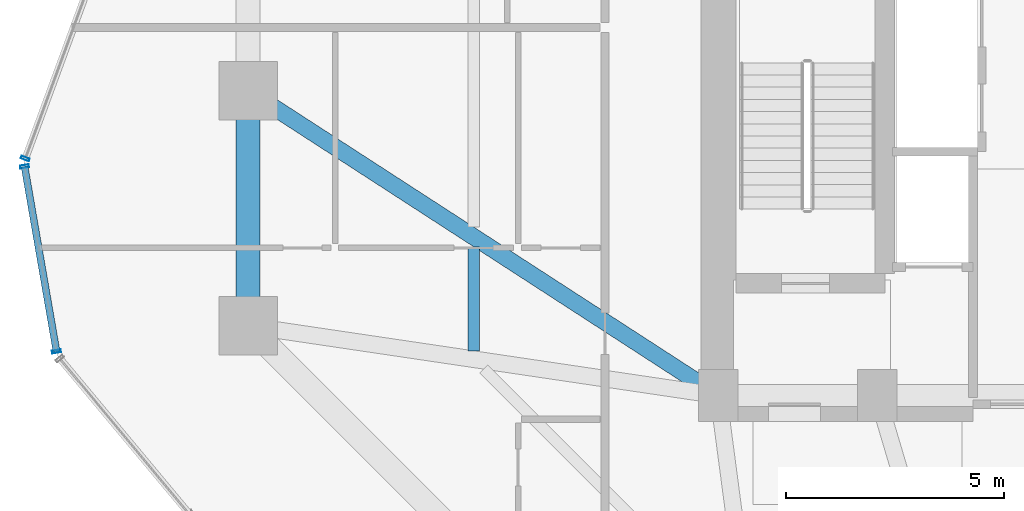
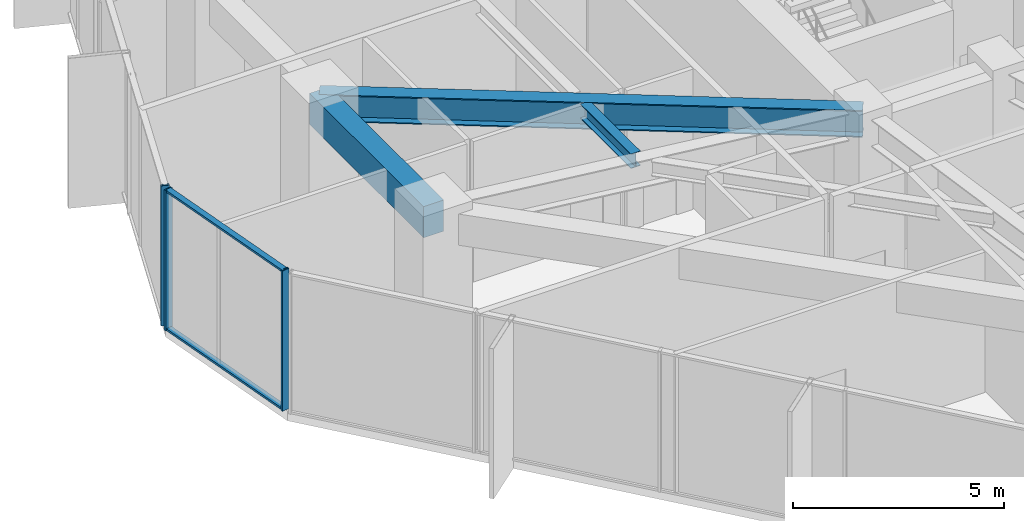
# One storey, part 10 of 35: 5 members, 3 beams, 2 elements without a shape of their own.
"""IFC4 building model written with IfcOpenShell, lengths in metres."""

import ifcopenshell
import ifcopenshell.guid

model = None  # the IFC model being written
_history = None  # IfcOwnerHistory: only IFC2X3 demands one
_inside = {}  # id of a spatial element -> (the spatial element, [elements in it])
_under = {}  # id of a project, library or spatial element -> (it, [spatial elements below it])
_declared = {}  # id of a project -> (the project, [libraries it declares])
_typed = {}  # id of a type object -> (the type object, [elements of that type])
_made_of = {}  # id of a material, layer set ... -> (it, [elements and type objects made of it])


def new_model(schema):
    """Start an empty IFC model of exactly this schema.

    Asked for "IFC4X3", IfcOpenShell would pick the latest addendum, in which some entities
    have other attributes; the version numbers below select the first issue.
    IFC2X3 requires an IfcOwnerHistory on every rooted entity: one is made here for all.
    """
    global model, _history
    if schema == "IFC4X3":
        model = ifcopenshell.file(schema_version=(4, 3, 0, 0))
    else:
        model = ifcopenshell.file(schema=schema)
    _inside.clear()
    _under.clear()
    _declared.clear()
    _typed.clear()
    _made_of.clear()
    _history = None
    if model.schema == "IFC2X3":
        org = make("IfcOrganization", Name="unknown")
        user = make(
            "IfcPersonAndOrganization",
            ThePerson=make("IfcPerson", FamilyName="unknown"),
            TheOrganization=org,
        )
        app = make(
            "IfcApplication",
            ApplicationDeveloper=org,
            Version="unknown",
            ApplicationFullName="unknown",
            ApplicationIdentifier="unknown",
        )
        _history = make(
            "IfcOwnerHistory",
            OwningUser=user,
            OwningApplication=app,
            ChangeAction="ADDED",
            CreationDate=0,
        )
    return model


def make(cls, **values):
    """One entity of the class cls with the attributes given. An attribute that is None is left unset."""
    return model.create_entity(
        cls, **{name: value for name, value in values.items() if value is not None}
    )


def rooted(cls, **values):
    """An entity with a GlobalId (a new one), such as an element, a storey or a relation."""
    return make(cls, GlobalId=ifcopenshell.guid.new(), OwnerHistory=_history, **values)


def si_unit(unit_type, name, prefix=None):
    """IfcSIUnit, for example si_unit("LENGTHUNIT", "METRE", prefix="MILLI")."""
    return make("IfcSIUnit", UnitType=unit_type, Prefix=prefix, Name=name)


def assignment(units):
    """IfcUnitAssignment: the units of a project."""
    return None if units is None else make("IfcUnitAssignment", Units=units)


def point(xyz):
    """IfcCartesianPoint."""
    return None if xyz is None else make("IfcCartesianPoint", Coordinates=xyz)


def direction(xyz):
    """IfcDirection."""
    return None if xyz is None else make("IfcDirection", DirectionRatios=xyz)


def frame(location, z_axis=None, x_axis=None):
    """IfcAxis2Placement3D, a coordinate frame: its origin and axes. An axis left out is left unset."""
    return make(
        "IfcAxis2Placement3D",
        Location=point(location),
        Axis=direction(z_axis),
        RefDirection=direction(x_axis),
    )


def frame_2d(location, x_axis=None):
    """IfcAxis2Placement2D, a coordinate frame in the plane: its origin and x axis."""
    return make(
        "IfcAxis2Placement2D", Location=point(location), RefDirection=direction(x_axis)
    )


def origin():
    """The frame at (0, 0, 0) with its axes left unset."""
    return frame((0.0, 0.0, 0.0))


def origin_2d():
    """The frame at (0, 0) in the plane with its x axis left unset."""
    return frame_2d((0.0, 0.0))


def place(relative_to, where):
    """IfcLocalPlacement: puts the frame where relative to a parent placement (None: the world)."""
    return make(
        "IfcLocalPlacement", PlacementRelTo=relative_to, RelativePlacement=where
    )


def context(
    kind, dimensions, precision=None, world=None, true_north=None, identifier=None
):
    """IfcGeometricRepresentationContext, for example the 3D "Model" context."""
    return make(
        "IfcGeometricRepresentationContext",
        ContextIdentifier=identifier,
        ContextType=kind,
        CoordinateSpaceDimension=dimensions,
        Precision=precision,
        WorldCoordinateSystem=world,
        TrueNorth=true_north,
    )


def subcontext(parent, identifier, kind, view, scale=None):
    """IfcGeometricRepresentationSubContext, for example "Body" below "Model"."""
    return make(
        "IfcGeometricRepresentationSubContext",
        ContextIdentifier=identifier,
        ContextType=kind,
        ParentContext=parent,
        TargetScale=scale,
        TargetView=view,
    )


def project(units=None, contexts=None):
    """IfcProject with its units and contexts."""
    return rooted(
        "IfcProject",
        Name="project",
        RepresentationContexts=contexts,
        UnitsInContext=assignment(units),
    )


def spatial(cls, under=None, at=None, **own):
    """A site, building, storey or space (cls), placed at a placement, below another one or the project."""
    s = rooted(cls, ObjectPlacement=at, **own)
    if under is not None:
        _under.setdefault(under.id(), (under, []))[1].append(s)
    return s


def profile(cls, at=None, kind="AREA", **sizes):
    """A parametric profile (cls). Its sizes go by their IFC names, for example OverallWidth=200.0."""
    return make(cls, ProfileType=kind, Position=at, **sizes)


def rectangle(**sizes):
    """IfcRectangleProfileDef."""
    return profile("IfcRectangleProfileDef", **sizes)


def hollow_rectangle(**sizes):
    """IfcRectangleHollowProfileDef."""
    return profile("IfcRectangleHollowProfileDef", **sizes)


def i_section(**sizes):
    """IfcIShapeProfileDef."""
    return profile("IfcIShapeProfileDef", **sizes)


def extrude(swept, where, along, depth):
    """IfcExtrudedAreaSolid: the profile swept, set in the frame where, extruded along a direction by depth."""
    return make(
        "IfcExtrudedAreaSolid",
        SweptArea=swept,
        Position=where,
        ExtrudedDirection=direction(along),
        Depth=depth,
    )


def shape(context_of_items, identifier, shape_type, items):
    """IfcShapeRepresentation: the items that make up one representation, for example the "Body"."""
    return make(
        "IfcShapeRepresentation",
        ContextOfItems=context_of_items,
        RepresentationIdentifier=identifier,
        RepresentationType=shape_type,
        Items=items,
    )


def source(mapping_origin, context_of_items, identifier, shape_type, items):
    """IfcRepresentationMap: a shape defined once, which mapped items show again and again."""
    return make(
        "IfcRepresentationMap",
        MappingOrigin=mapping_origin,
        MappedRepresentation=shape(context_of_items, identifier, shape_type, items),
    )


def transform(
    local_origin,
    x_axis=None,
    y_axis=None,
    z_axis=None,
    scale=None,
    scale2=None,
    scale3=None,
    uniform=True,
):
    """IfcCartesianTransformationOperator3D, or its non-uniform kind. x_axis, y_axis, z_axis: its Axis1, 2, 3."""
    if uniform:
        return make(
            "IfcCartesianTransformationOperator3D",
            Axis1=direction(x_axis),
            Axis2=direction(y_axis),
            LocalOrigin=point(local_origin),
            Scale=scale,
            Axis3=direction(z_axis),
        )
    return make(
        "IfcCartesianTransformationOperator3DnonUniform",
        Axis1=direction(x_axis),
        Axis2=direction(y_axis),
        LocalOrigin=point(local_origin),
        Scale=scale,
        Axis3=direction(z_axis),
        Scale2=scale2,
        Scale3=scale3,
    )


def mapped(mapping_source, mapping_target):
    """IfcMappedItem: shows the shape of a source again, moved by a transform."""
    return make(
        "IfcMappedItem", MappingSource=mapping_source, MappingTarget=mapping_target
    )


def material(Name=None, Category=None):
    """IfcMaterial."""
    return make("IfcMaterial", Name=Name, Category=Category)


def layer(
    of_material, thickness, ventilated=None, Name=None, Category=None, Priority=None
):
    """IfcMaterialLayer: one layer of a wall or slab, of a material (None: an air gap)."""
    return make(
        "IfcMaterialLayer",
        Material=of_material,
        LayerThickness=thickness,
        IsVentilated=ventilated,
        Name=Name,
        Category=Category,
        Priority=Priority,
    )


def layer_set(layers, Name=None):
    """IfcMaterialLayerSet."""
    return make("IfcMaterialLayerSet", MaterialLayers=layers, LayerSetName=Name)


def material_profile(
    of_material, cross_section, Name=None, Category=None, Priority=None
):
    """IfcMaterialProfile: a cross section and its material."""
    return make(
        "IfcMaterialProfile",
        Name=Name,
        Material=of_material,
        Profile=cross_section,
        Priority=Priority,
        Category=Category,
    )


def profile_set(profiles, Name=None, composite=None):
    """IfcMaterialProfileSet."""
    return make(
        "IfcMaterialProfileSet",
        Name=Name,
        MaterialProfiles=profiles,
        CompositeProfile=composite,
    )


def made_of(thing, what):
    """Note that an element or type object is made of a material, layer set ...; save() writes the relation."""
    if what is not None:
        _made_of.setdefault(what.id(), (what, []))[1].append(thing)
    return thing


def type_object(cls, material=None, **own):
    """A type object (cls), such as IfcWallType, which elements share."""
    return made_of(rooted(cls, **own), material)


def element(
    cls,
    number,
    at=None,
    inside=None,
    cuts=None,
    type_object=None,
    material=None,
    context=None,
    identifier="Body",
    shape_type=None,
    held_by="IfcProductDefinitionShape",
    body=None,
    shapes=None,
    **own,
):
    """One element of the class cls, such as IfcWall. Its Tag is "e" and its number.

    at: its placement. inside: the storey or other place that contains it. cuts: it is an
    opening in that element (IfcRelVoidsElement). A single representation is given by context,
    identifier, shape_type and body (its items); several are given by shapes. held_by: the class
    of the entity that holds the representations. save() writes the other relations.
    """
    e = rooted(cls, Tag="e%d" % number, ObjectPlacement=at, **own)
    if body is not None:
        shapes = [shape(context, identifier, shape_type, body)]
    if shapes is not None:
        e.Representation = make(held_by, Representations=shapes)
    if inside is not None:
        _inside.setdefault(inside.id(), (inside, []))[1].append(e)
    if cuts is not None:
        rooted(
            "IfcRelVoidsElement", RelatingBuildingElement=cuts, RelatedOpeningElement=e
        )
    if type_object is not None:
        _typed.setdefault(type_object.id(), (type_object, []))[1].append(e)
    return made_of(e, material)


def aggregate(whole, parts):
    """IfcRelAggregates: a whole, such as a stair, and the parts it consists of."""
    return rooted("IfcRelAggregates", RelatingObject=whole, RelatedObjects=parts)


def save(model, path):
    """Write the relations noted so far, then the file.

    IfcRelAggregates (storeys below a building ...), IfcRelContainedInSpatialStructure (elements
    in a storey), IfcRelDefinesByType, IfcRelAssociatesMaterial and IfcRelDeclares: one each for
    every whole, place, type object, material and project.
    """
    for whole, parts in _under.values():
        aggregate(whole, parts)
    for where, things in _inside.values():
        rooted(
            "IfcRelContainedInSpatialStructure",
            RelatedElements=things,
            RelatingStructure=where,
        )
    for kind, things in _typed.values():
        rooted("IfcRelDefinesByType", RelatedObjects=things, RelatingType=kind)
    for what, things in _made_of.values():
        rooted("IfcRelAssociatesMaterial", RelatedObjects=things, RelatingMaterial=what)
    for by, libraries in _declared.values():
        rooted("IfcRelDeclares", RelatingContext=by, RelatedDefinitions=libraries)
    model.write(path)


model = new_model("IFC4")

# Units and contexts
model_context = context("Model", 3, precision=1e-05, world=origin(), true_north=direction((0.0, 1.0)))
body_context = subcontext(model_context, "Body", "Model", "MODEL_VIEW")
ifc_project = project(units=[si_unit("LENGTHUNIT", "METRE"), si_unit("AREAUNIT", "SQUARE_METRE"), si_unit("VOLUMEUNIT", "CUBIC_METRE"), si_unit("PLANEANGLEUNIT", "RADIAN"), si_unit("MASSUNIT", "GRAM", prefix="KILO")], contexts=[model_context])

# Site, building, storey
site_placement = place(None, origin())
site = spatial("IfcSite", under=ifc_project, at=site_placement, CompositionType="ELEMENT")
building_placement = place(site_placement, origin())
building = spatial("IfcBuilding", under=site, at=building_placement, Name="Veraguas Prism Commons", CompositionType="ELEMENT")
storey_placement = place(building_placement, frame((0.0, 0.0, 56.550048828125)))
storey = spatial("IfcBuildingStorey", under=building, at=storey_placement, Name="L15", CompositionType="ELEMENT", Elevation=56.550048828125)

# Beams
ifc_material_1 = material(Name="Steel ASTM A992 Grade 50", Category="steel")
ifc_material_profile_1 = material_profile(ifc_material_1, i_section(OverallWidth=0.382080078125, OverallDepth=0.779052734375, WebThickness=0.01806640625, FlangeThickness=0.030029296875, at=origin_2d()), Name="W760X284")
ifc_profile_set_1 = profile_set([ifc_material_profile_1], Name="Steel ASTM A992 Grade 50")
beam_type_1 = type_object("IfcBeamType", Name="Assembly Primary Girder W760x284", PredefinedType="BEAM", material=ifc_profile_set_1)
beam_1_placement = place(storey_placement, frame((6.39990234375, 24.0, 3.660400390625), z_axis=(0.839154108875, -0.543893722668, 0.0), x_axis=(0.543893722668, 0.839154108875, 0.0)))
element("IfcBeam", 1, at=beam_1_placement, inside=storey, type_object=beam_type_1, Name="Radial Floor Girder L15-RD08", PredefinedType="BEAM", context=body_context, shape_type="SweptSolid", body=[
    extrude(i_section(OverallWidth=0.382080078125, OverallDepth=0.779052734375, WebThickness=0.01806640625, FlangeThickness=0.030029296875, at=origin_2d()), origin(), (0.0, 0.0, 1.0), 12.8701171875),
])
ifc_material_profile_2 = material_profile(ifc_material_1, i_section(OverallWidth=0.260986328125, OverallDepth=0.419921875, WebThickness=0.01171875, FlangeThickness=0.019287109375, at=origin_2d()), Name="W410X114")
ifc_profile_set_2 = profile_set([ifc_material_profile_2], Name="Steel ASTM A992 Grade 50")
beam_type_2 = type_object("IfcBeamType", Name="Lower Floor Joist W410x114", PredefinedType="JOIST", material=ifc_profile_set_2)
beam_2_placement = place(storey_placement, frame((11.583984375, 20.414794921875, 3.83984375), z_axis=(0.0, -1.0, 0.0), x_axis=(1.0, 0.0, 0.0)))
element("IfcBeam", 2, at=beam_2_placement, inside=storey, type_object=beam_type_2, Name="Composite Floor Joist L15-JS08", PredefinedType="JOIST", context=body_context, shape_type="SweptSolid", body=[
    extrude(i_section(OverallWidth=0.260986328125, OverallDepth=0.419921875, WebThickness=0.01171875, FlangeThickness=0.019287109375, at=origin_2d()), origin(), (0.0, 0.0, 1.0), 2.3916015625),
])
ifc_material_2 = material(Name="Concrete C50/60", Category="concrete")
ifc_material_profile_3 = material_profile(ifc_material_2, rectangle(XDim=0.550048828125, YDim=0.89990234375, at=origin_2d()), Name="RC550X900")
ifc_profile_set_3 = profile_set([ifc_material_profile_3], Name="Concrete C50/60")
beam_type_3 = type_object("IfcBeamType", Name="Perimeter Spandrel Lower RC 550x900", PredefinedType="SPANDREL", material=ifc_profile_set_3)
beam_3_placement = place(storey_placement, frame((6.39990234375, 24.0, 3.599853515625), z_axis=(0.0, -1.0, 0.0), x_axis=(1.0, 0.0, 0.0)))
element("IfcBeam", 3, at=beam_3_placement, inside=storey, type_object=beam_type_3, Name="Perimeter Spandrel Beam L15-SP08", PredefinedType="SPANDREL", context=body_context, shape_type="SweptSolid", body=[
    extrude(rectangle(XDim=0.550048828125, YDim=0.89990234375, at=origin_2d()), origin(), (0.0, 0.0, 1.0), 5.39990234375),
])

# Curtain wall, member
ifc_material_3 = material(Name="Anodised aluminium EN AW-6063 T6", Category="aluminium")
ifc_layer = layer(ifc_material_3, 0.199951171875, Name="Sky Lobby and Pool Acoustic Curtain Wall", Category="aluminium")
ifc_layer_set = layer_set([ifc_layer], Name="Anodised aluminium EN AW-6063 T6")
curtain_wall_type = type_object("IfcCurtainWallType", Name="Sky Lobby and Pool Acoustic Curtain Wall", PredefinedType="NOTDEFINED", material=ifc_layer_set)
curtain_wall_1_placement = place(storey_placement, origin())
curtain_wall_1 = element("IfcCurtainWall", 4, at=curtain_wall_1_placement, inside=storey, type_object=curtain_wall_type, Name="Tower Facade Curtain Wall L15-F3", PredefinedType="NOTDEFINED")
ifc_material_profile_4 = material_profile(ifc_material_3, hollow_rectangle(XDim=0.06494140625, YDim=0.199951171875, WallThickness=0.00390625, at=origin_2d()), Name="AL65X200X4")
ifc_profile_set_4 = profile_set([ifc_material_profile_4], Name="Anodised aluminium EN AW-6063 T6")
member_type_1 = type_object("IfcMemberType", Name="Curtain Wall Mullion Heavy AL 65x200x4", PredefinedType="MULLION", material=ifc_profile_set_4)
shared_shape_1 = source(origin(), body_context, "Body", "SweptSolid", [
    extrude(hollow_rectangle(XDim=0.06494140625, YDim=0.199951171875, WallThickness=0.00390625, at=origin_2d()), origin(), (0.0, 0.0, 1.0), 4.050048828125),
])
member_1_placement = place(storey_placement, frame((1.279296875, 22.43994140625, 0.0), z_axis=(0.0, 0.0, 1.0), x_axis=(-0.345301474955, -0.938491817436, 0.0)))
member_1 = element("IfcMember", 5, at=member_1_placement, type_object=member_type_1, Name="CW-SKY Mullion 5", PredefinedType="MULLION", context=body_context, shape_type="MappedRepresentation", body=[
    mapped(shared_shape_1, transform((0.0, 0.0, 0.0), scale=1.0)),
])
aggregate(curtain_wall_1, [member_1])

# Curtain wall, members
curtain_wall_2_placement = place(storey_placement, origin())
curtain_wall_2 = element("IfcCurtainWall", 6, at=curtain_wall_2_placement, inside=storey, type_object=curtain_wall_type, Name="Chamfer Curtain Wall L15-C4", PredefinedType="NOTDEFINED")
member_2_placement = place(storey_placement, frame((1.262939453125, 22.261962890625, 0.0), z_axis=(0.0, 0.0, 1.0), x_axis=(0.170226697752, -0.985404927617, 0.0)))
member_2 = element("IfcMember", 7, at=member_2_placement, type_object=member_type_1, Name="CW-SKY Mullion 1", PredefinedType="MULLION", context=body_context, shape_type="MappedRepresentation", body=[
    mapped(shared_shape_1, transform((0.0, 0.0, 0.0), scale=1.0)),
])
member_3_placement = place(storey_placement, frame((1.99755859375, 18.010009765625, 0.0), z_axis=(0.0, 0.0, 1.0), x_axis=(0.170226697752, -0.985404927617, 0.0)))
member_3 = element("IfcMember", 8, at=member_3_placement, type_object=member_type_1, Name="CW-SKY Mullion 2", PredefinedType="MULLION", context=body_context, shape_type="MappedRepresentation", body=[
    mapped(shared_shape_1, transform((0.0, 0.0, 0.0), scale=1.0)),
])
ifc_material_profile_5 = material_profile(ifc_material_3, hollow_rectangle(XDim=0.06005859375, YDim=0.159912109375, WallThickness=0.0029296875, at=origin_2d()), Name="AL60X160X3")
ifc_profile_set_5 = profile_set([ifc_material_profile_5], Name="Anodised aluminium EN AW-6063 T6")
member_type_2 = type_object("IfcMemberType", Name="Curtain Wall Transom Heavy AL 60x160x3", PredefinedType="USERDEFINED", material=ifc_profile_set_5)
shared_shape_2 = source(origin(), body_context, "Body", "SweptSolid", [
    extrude(hollow_rectangle(XDim=0.06005859375, YDim=0.159912109375, WallThickness=0.0029296875, at=origin_2d()), origin(), (0.0, 0.0, 1.0), 4.31494140625),
])
member_4_placement = place(storey_placement, frame((1.262939453125, 22.261962890625, 0.030029296875), z_axis=(0.170249850237, -0.985400927792, 0.0), x_axis=(0.0, 0.0, 1.0)))
member_4 = element("IfcMember", 9, at=member_4_placement, type_object=member_type_2, Name="CW-SKY Transom 1", ObjectType="TRANSOM", PredefinedType="USERDEFINED", context=body_context, shape_type="MappedRepresentation", body=[
    mapped(shared_shape_2, transform((0.0, 0.0, 0.0), scale=1.0)),
])
member_5_placement = place(storey_placement, frame((1.262939453125, 22.261962890625, 4.02001953125), z_axis=(0.170249850237, -0.985400927792, 0.0), x_axis=(0.0, 0.0, 1.0)))
member_5 = element("IfcMember", 10, at=member_5_placement, type_object=member_type_2, Name="CW-SKY Transom 2", ObjectType="TRANSOM", PredefinedType="USERDEFINED", context=body_context, shape_type="MappedRepresentation", body=[
    mapped(shared_shape_2, transform((0.0, 0.0, 0.0), scale=1.0)),
])
aggregate(curtain_wall_2, [member_2, member_3, member_4, member_5])

save(model, "model.ifc")
